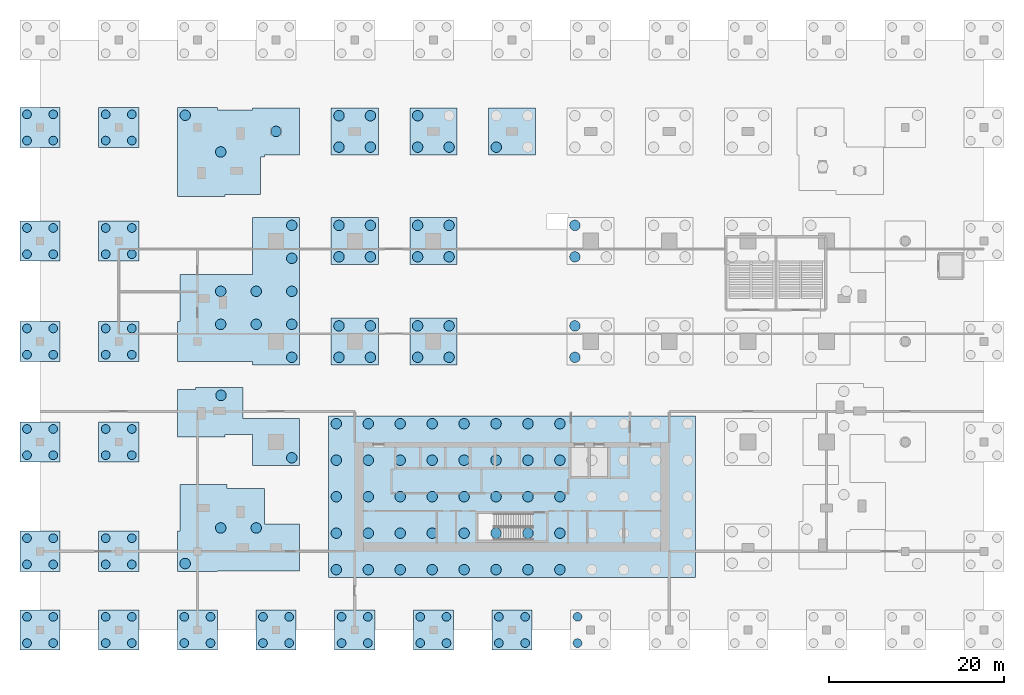
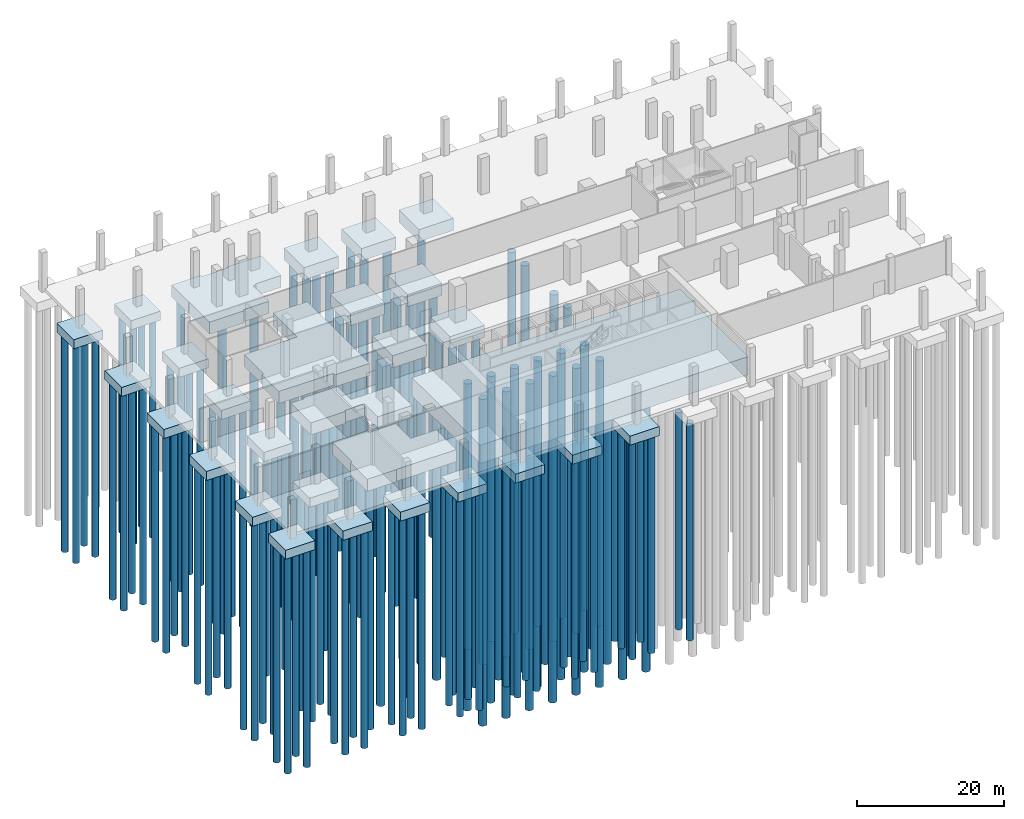
# One storey, part 1 of 9: 155 piles, 29 footings.
"""IFC4 building model written with IfcOpenShell, lengths in metres."""

from ifc_helpers import new_model, si_unit, direction, frame, origin, origin_2d, place, context, subcontext, project, spatial, polyline, circle, outline, extrude, material, material_profile, profile_set, type_object, element, save


model = new_model("IFC4")

# Units and contexts
model_context = context("Model", 3, precision=1e-05, world=origin(), true_north=direction((0.0, 1.0)))
body_context = subcontext(model_context, "Body", "Model", "MODEL_VIEW")
ifc_project = project(units=[si_unit("LENGTHUNIT", "METRE"), si_unit("AREAUNIT", "SQUARE_METRE"), si_unit("VOLUMEUNIT", "CUBIC_METRE"), si_unit("PLANEANGLEUNIT", "RADIAN"), si_unit("MASSUNIT", "GRAM", prefix="KILO")], contexts=[model_context])

# Site, building, storey
site_placement = place(None, origin())
site = spatial("IfcSite", under=ifc_project, at=site_placement, CompositionType="ELEMENT")
building_placement = place(site_placement, origin())
building = spatial("IfcBuilding", under=site, at=building_placement, Name="Brigalow Station Residences", CompositionType="ELEMENT")
storey_placement = place(building_placement, frame((0.0, 0.0, -6.0)))
storey = spatial("IfcBuildingStorey", under=building, at=storey_placement, Name="B1", CompositionType="ELEMENT", Elevation=-6.0)

# Piles
ifc_material_1 = material(Name="Concrete C50", Category="concrete")
ifc_material_profile_1 = material_profile(ifc_material_1, circle(Radius=0.5, at=origin_2d()), Name="BP1000")
ifc_profile_set_1 = profile_set([ifc_material_profile_1], Name="Concrete C50")
pile_type_1 = type_object("IfcPileType", Name="BORED PILE 1000", PredefinedType="BORED", material=ifc_profile_set_1)
for number, where, z_axis, x_axis, name in (
    (1, (-19.5, -10.5, -2.0), (0.0, 0.0, -1.0), (1.0, 0.0, 0.0), "BORED PILE 01-1"),
    (2, (-19.5, -7.5, -2.0), (0.0, 0.0, -1.0), (1.0, 0.0, 0.0), "BORED PILE 01-2"),
    (3, (-16.5, -10.5, -2.0), (0.0, 0.0, -1.0), (1.0, 0.0, 0.0), "BORED PILE 01-3"),
    (4, (-16.5, -7.5, -2.0), (0.0, 0.0, -1.0), (1.0, 0.0, 0.0), "BORED PILE 01-4"),
    (5, (-10.5, -10.5, -2.0), (0.0, 0.0, -1.0), (1.0, 0.0, 0.0), "BORED PILE 02-1"),
    (6, (-10.5, -7.5, -2.0), (0.0, 0.0, -1.0), (1.0, 0.0, 0.0), "BORED PILE 02-2"),
    (7, (-7.5, -10.5, -2.0), (0.0, 0.0, -1.0), (1.0, 0.0, 0.0), "BORED PILE 02-3"),
    (8, (-7.5, -7.5, -2.0), (0.0, 0.0, -1.0), (1.0, 0.0, 0.0), "BORED PILE 02-4"),
    (9, (-1.5, -10.5, -2.0), (0.0, 0.0, -1.0), (1.0, 0.0, 0.0), "BORED PILE 03-1"),
    (10, (-1.5, -7.5, -2.0), (0.0, 0.0, -1.0), (1.0, 0.0, 0.0), "BORED PILE 03-2"),
    (11, (1.5, -10.5, -2.0), (0.0, 0.0, -1.0), (1.0, 0.0, 0.0), "BORED PILE 03-3"),
    (12, (1.5, -7.5, -2.0), (0.0, 0.0, -1.0), (1.0, 0.0, 0.0), "BORED PILE 03-4"),
    (13, (7.5, -10.5, -2.0), (0.0, 0.0, -1.0), (1.0, 0.0, 0.0), "BORED PILE 04-1"),
    (14, (7.5, -7.5, -2.0), (0.0, 0.0, -1.0), (1.0, 0.0, 0.0), "BORED PILE 04-2"),
    (15, (10.5, -10.5, -2.0), (0.0, 0.0, -1.0), (1.0, 0.0, 0.0), "BORED PILE 04-3"),
    (16, (10.5, -7.5, -2.0), (0.0, 0.0, -1.0), (1.0, 0.0, 0.0), "BORED PILE 04-4"),
    (17, (16.5, -10.5, -2.0), (0.0, 0.0, -1.0), (1.0, 0.0, 0.0), "BORED PILE 05-1"),
    (18, (16.5, -7.5, -2.0), (0.0, 0.0, -1.0), (1.0, 0.0, 0.0), "BORED PILE 05-2"),
    (19, (19.5, -10.5, -2.0), (0.0, 0.0, -1.0), (1.0, 0.0, 0.0), "BORED PILE 05-3"),
    (20, (19.5, -7.5, -2.0), (0.0, 0.0, -1.0), (1.0, 0.0, 0.0), "BORED PILE 05-4"),
    (21, (25.5, -10.5, -2.0), (0.0, 0.0, -1.0), (1.0, 0.0, 0.0), "BORED PILE 06-1"),
    (22, (25.5, -7.5, -2.0), (0.0, 0.0, -1.0), (1.0, 0.0, 0.0), "BORED PILE 06-2"),
    (23, (28.5, -10.5, -2.0), (0.0, 0.0, -1.0), (1.0, 0.0, 0.0), "BORED PILE 06-3"),
    (24, (28.5, -7.5, -2.0), (0.0, 0.0, -1.0), (1.0, 0.0, 0.0), "BORED PILE 06-4"),
    (25, (34.5, -10.5, -2.0), (0.0, 0.0, -1.0), (1.0, 0.0, 0.0), "BORED PILE 07-1"),
    (26, (34.5, -7.5, -2.0), (0.0, 0.0, -1.0), (1.0, 0.0, 0.0), "BORED PILE 07-2"),
    (27, (37.5, -10.5, -2.0), (0.0, 0.0, -1.0), (1.0, 0.0, 0.0), "BORED PILE 07-3"),
    (28, (37.5, -7.5, -2.0), (0.0, 0.0, -1.0), (1.0, 0.0, 0.0), "BORED PILE 07-4"),
    (29, (43.5, -10.5, -2.0), (0.0, 0.0, -1.0), (1.0, 0.0, 0.0), "BORED PILE 08-1"),
    (30, (43.5, -7.5, -2.0), (0.0, 0.0, -1.0), (1.0, 0.0, 0.0), "BORED PILE 08-2"),
    (31, (-19.5, -1.5, -2.0), (0.0, 0.0, -1.0), (1.0, 0.0, 0.0), "BORED PILE 14-1"),
    (32, (-19.5, 1.5, -2.0), (0.0, 0.0, -1.0), (1.0, 0.0, 0.0), "BORED PILE 14-2"),
    (33, (-16.5, -1.5, -2.0), (0.0, 0.0, -1.0), (1.0, 0.0, 0.0), "BORED PILE 14-3"),
    (34, (-16.5, 1.5, -2.0), (0.0, 0.0, -1.0), (1.0, 0.0, 0.0), "BORED PILE 14-4"),
    (35, (-10.5, -1.5, -2.0), (0.0, 0.0, -1.0), (1.0, 0.0, 0.0), "BORED PILE 15-1"),
    (36, (-10.5, 1.5, -2.0), (0.0, 0.0, -1.0), (1.0, 0.0, 0.0), "BORED PILE 15-2"),
    (37, (-7.5, -1.5, -2.0), (0.0, 0.0, -1.0), (1.0, 0.0, 0.0), "BORED PILE 15-3"),
    (38, (-7.5, 1.5, -2.0), (0.0, 0.0, -1.0), (1.0, 0.0, 0.0), "BORED PILE 15-4"),
    (39, (-19.5, 11.0, -2.0), (0.0, 0.0, -1.0), (1.0, 0.0, 0.0), "BORED PILE 20-1"),
    (40, (-19.5, 14.0, -2.0), (0.0, 0.0, -1.0), (1.0, 0.0, 0.0), "BORED PILE 20-2"),
    (41, (-16.5, 11.0, -2.0), (0.0, 0.0, -1.0), (1.0, 0.0, 0.0), "BORED PILE 20-3"),
    (42, (-16.5, 14.0, -2.0), (0.0, 0.0, -1.0), (1.0, 0.0, 0.0), "BORED PILE 20-4"),
    (43, (-10.5, 11.0, -2.0), (0.0, 0.0, -1.0), (1.0, 0.0, 0.0), "BORED PILE 21-1"),
    (44, (-10.5, 14.0, -2.0), (0.0, 0.0, -1.0), (1.0, 0.0, 0.0), "BORED PILE 21-2"),
    (45, (-7.5, 11.0, -2.0), (0.0, 0.0, -1.0), (1.0, 0.0, 0.0), "BORED PILE 21-3"),
    (46, (-7.5, 14.0, -2.0), (0.0, 0.0, -1.0), (1.0, 0.0, 0.0), "BORED PILE 21-4"),
    (47, (-19.5, 22.5, -2.0), (0.0, 0.0, -1.0), (1.0, 0.0, 0.0), "BORED PILE 25-1"),
    (48, (-19.5, 25.5, -2.0), (0.0, 0.0, -1.0), (1.0, 0.0, 0.0), "BORED PILE 25-2"),
    (49, (-16.5, 22.5, -2.0), (0.0, 0.0, -1.0), (1.0, 0.0, 0.0), "BORED PILE 25-3"),
    (50, (-16.5, 25.5, -2.0), (0.0, 0.0, -1.0), (1.0, 0.0, 0.0), "BORED PILE 25-4"),
    (51, (-10.5, 22.5, -2.0), (0.0, 0.0, -1.0), (1.0, 0.0, 0.0), "BORED PILE 26-1"),
    (52, (-10.5, 25.5, -2.0), (0.0, 0.0, -1.0), (1.0, 0.0, 0.0), "BORED PILE 26-2"),
    (53, (-7.5, 22.5, -2.0), (0.0, 0.0, -1.0), (1.0, 0.0, 0.0), "BORED PILE 26-3"),
    (54, (-7.5, 25.5, -2.0), (0.0, 0.0, -1.0), (1.0, 0.0, 0.0), "BORED PILE 26-4"),
    (55, (-19.5, 34.0, -2.0), (0.0, 0.0, -1.0), (1.0, 0.0, 0.0), "BORED PILE 35-1"),
    (56, (-19.5, 37.0, -2.0), (0.0, 0.0, -1.0), (1.0, 0.0, 0.0), "BORED PILE 35-2"),
    (57, (-16.5, 34.0, -2.0), (0.0, 0.0, -1.0), (1.0, 0.0, 0.0), "BORED PILE 35-3"),
    (58, (-16.5, 37.0, -2.0), (0.0, 0.0, -1.0), (1.0, 0.0, 0.0), "BORED PILE 35-4"),
    (59, (-10.5, 34.0, -2.0), (0.0, 0.0, -1.0), (1.0, 0.0, 0.0), "BORED PILE 36-1"),
    (60, (-10.5, 37.0, -2.0), (0.0, 0.0, -1.0), (1.0, 0.0, 0.0), "BORED PILE 36-2"),
    (61, (-7.5, 34.0, -2.0), (0.0, 0.0, -1.0), (1.0, 0.0, 0.0), "BORED PILE 36-3"),
    (62, (-7.5, 37.0, -2.0), (0.0, 0.0, -1.0), (1.0, 0.0, 0.0), "BORED PILE 36-4"),
    (63, (-19.5, 47.0, -2.0), (0.0, 0.0, -1.0), (1.0, 0.0, 0.0), "BORED PILE 51-1"),
    (64, (-19.5, 50.0, -2.0), (0.0, 0.0, -1.0), (1.0, 0.0, 0.0), "BORED PILE 51-2"),
    (65, (-16.5, 47.0, -2.0), (0.0, 0.0, -1.0), (1.0, 0.0, 0.0), "BORED PILE 51-3"),
    (66, (-16.5, 50.0, -2.0), (0.0, 0.0, -1.0), (1.0, 0.0, 0.0), "BORED PILE 51-4"),
    (67, (-10.5, 47.0, -2.0), (0.0, 0.0, -1.0), (1.0, 0.0, 0.0), "BORED PILE 52-1"),
    (68, (-10.5, 50.0, -2.0), (0.0, 0.0, -1.0), (1.0, 0.0, 0.0), "BORED PILE 52-2"),
    (69, (-7.5, 47.0, -2.0), (0.0, 0.0, -1.0), (1.0, 0.0, 0.0), "BORED PILE 52-3"),
    (70, (-7.5, 50.0, -2.0), (0.0, 0.0, -1.0), (1.0, 0.0, 0.0), "BORED PILE 52-4"),
):
    element("IfcPile", number, at=place(storey_placement, frame(where, z_axis=z_axis, x_axis=x_axis)), inside=storey, type_object=pile_type_1, Name=name, PredefinedType="BORED", context=body_context, shape_type="SweptSolid", body=[
        extrude(circle(Radius=0.5, at=origin_2d()), origin(), (0.0, 0.0, 1.0), 36.0),
    ])
ifc_material_2 = material(Name="Concrete C50", Category="concrete")
ifc_material_profile_2 = material_profile(ifc_material_2, circle(Radius=0.60009765625, at=origin_2d()), Name="BP1200")
ifc_profile_set_2 = profile_set([ifc_material_profile_2], Name="Concrete C50")
pile_type_2 = type_object("IfcPileType", Name="BORED PILE 1200", PredefinedType="BORED", material=ifc_profile_set_2)
for number, where, z_axis, x_axis, name in (
    (71, (-1.39990234375, -1.39990234375, -2.5), (0.0, 0.0, -1.0), (1.0, 0.0, 0.0), "BORED PILE 16-1"),
    (72, (2.666748046875, 2.675048828125, -2.5), (0.0, 0.0, -1.0), (1.0, 0.0, 0.0), "BORED PILE 16-2"),
    (73, (6.7333984375, 2.675048828125, -2.5), (0.0, 0.0, -1.0), (1.0, 0.0, 0.0), "BORED PILE 16-3"),
    (74, (2.699951171875, 17.85009765625, -2.5), (0.0, 0.0, -1.0), (1.0, 0.0, 0.0), "BORED PILE 22-1"),
    (75, (10.800048828125, 10.699951171875, -2.5), (0.0, 0.0, -1.0), (1.0, 0.0, 0.0), "BORED PILE 22-2"),
    (76, (2.666748046875, 25.97509765625, -2.5), (0.0, 0.0, -1.0), (1.0, 0.0, 0.0), "BORED PILE 27-1"),
    (77, (2.666748046875, 29.75, -2.5), (0.0, 0.0, -1.0), (1.0, 0.0, 0.0), "BORED PILE 27-2"),
    (78, (6.7333984375, 25.97509765625, -2.5), (0.0, 0.0, -1.0), (1.0, 0.0, 0.0), "BORED PILE 27-3"),
    (79, (6.7333984375, 29.75, -2.5), (0.0, 0.0, -1.0), (1.0, 0.0, 0.0), "BORED PILE 27-4"),
    (80, (10.800048828125, 22.199951171875, -2.5), (0.0, 0.0, -1.0), (1.0, 0.0, 0.0), "BORED PILE 27-5"),
    (81, (10.800048828125, 25.97509765625, -2.5), (0.0, 0.0, -1.0), (1.0, 0.0, 0.0), "BORED PILE 27-6"),
    (82, (10.800048828125, 29.75, -2.5), (0.0, 0.0, -1.0), (1.0, 0.0, 0.0), "BORED PILE 27-7"),
    (83, (10.800048828125, 33.52490234375, -2.5), (0.0, 0.0, -1.0), (1.0, 0.0, 0.0), "BORED PILE 27-8"),
    (84, (10.800048828125, 37.300048828125, -2.5), (0.0, 0.0, -1.0), (1.0, 0.0, 0.0), "BORED PILE 27-9"),
    (85, (16.199951171875, 22.199951171875, -2.5), (0.0, 0.0, -1.0), (1.0, 0.0, 0.0), "BORED PILE 28-1"),
    (86, (16.199951171875, 25.800048828125, -2.5), (0.0, 0.0, -1.0), (1.0, 0.0, 0.0), "BORED PILE 28-2"),
    (87, (19.800048828125, 22.199951171875, -2.5), (0.0, 0.0, -1.0), (1.0, 0.0, 0.0), "BORED PILE 28-3"),
    (88, (19.800048828125, 25.800048828125, -2.5), (0.0, 0.0, -1.0), (1.0, 0.0, 0.0), "BORED PILE 28-4"),
    (89, (25.199951171875, 22.199951171875, -2.5), (0.0, 0.0, -1.0), (1.0, 0.0, 0.0), "BORED PILE 29-1"),
    (90, (25.199951171875, 25.800048828125, -2.5), (0.0, 0.0, -1.0), (1.0, 0.0, 0.0), "BORED PILE 29-2"),
    (91, (28.800048828125, 22.199951171875, -2.5), (0.0, 0.0, -1.0), (1.0, 0.0, 0.0), "BORED PILE 29-3"),
    (92, (28.800048828125, 25.800048828125, -2.5), (0.0, 0.0, -1.0), (1.0, 0.0, 0.0), "BORED PILE 29-4"),
    (93, (43.199951171875, 22.199951171875, -2.5), (0.0, 0.0, -1.0), (1.0, 0.0, 0.0), "BORED PILE 30-1"),
    (94, (43.199951171875, 25.800048828125, -2.5), (0.0, 0.0, -1.0), (1.0, 0.0, 0.0), "BORED PILE 30-2"),
    (95, (16.199951171875, 33.699951171875, -2.5), (0.0, 0.0, -1.0), (1.0, 0.0, 0.0), "BORED PILE 37-1"),
    (96, (16.199951171875, 37.300048828125, -2.5), (0.0, 0.0, -1.0), (1.0, 0.0, 0.0), "BORED PILE 37-2"),
    (97, (19.800048828125, 33.699951171875, -2.5), (0.0, 0.0, -1.0), (1.0, 0.0, 0.0), "BORED PILE 37-3"),
    (98, (19.800048828125, 37.300048828125, -2.5), (0.0, 0.0, -1.0), (1.0, 0.0, 0.0), "BORED PILE 37-4"),
    (99, (25.199951171875, 33.699951171875, -2.5), (0.0, 0.0, -1.0), (1.0, 0.0, 0.0), "BORED PILE 38-1"),
    (100, (25.199951171875, 37.300048828125, -2.5), (0.0, 0.0, -1.0), (1.0, 0.0, 0.0), "BORED PILE 38-2"),
    (101, (28.800048828125, 33.699951171875, -2.5), (0.0, 0.0, -1.0), (1.0, 0.0, 0.0), "BORED PILE 38-3"),
    (102, (28.800048828125, 37.300048828125, -2.5), (0.0, 0.0, -1.0), (1.0, 0.0, 0.0), "BORED PILE 38-4"),
    (103, (43.199951171875, 33.699951171875, -2.5), (0.0, 0.0, -1.0), (1.0, 0.0, 0.0), "BORED PILE 39-1"),
    (104, (43.199951171875, 37.300048828125, -2.5), (0.0, 0.0, -1.0), (1.0, 0.0, 0.0), "BORED PILE 39-2"),
    (105, (-1.39990234375, 49.89990234375, -2.5), (0.0, 0.0, -1.0), (1.0, 0.0, 0.0), "BORED PILE 43-1"),
    (106, (2.666748046875, 45.699951171875, -2.5), (0.0, 0.0, -1.0), (1.0, 0.0, 0.0), "BORED PILE 43-2"),
    (107, (9.0, 48.050048828125, -2.5), (0.0, 0.0, -1.0), (1.0, 0.0, 0.0), "BORED PILE 43-3"),
    (108, (16.199951171875, 46.25, -2.5), (0.0, 0.0, -1.0), (1.0, 0.0, 0.0), "BORED PILE 45-1"),
    (109, (16.199951171875, 49.85009765625, -2.5), (0.0, 0.0, -1.0), (1.0, 0.0, 0.0), "BORED PILE 45-2"),
    (110, (19.800048828125, 46.25, -2.5), (0.0, 0.0, -1.0), (1.0, 0.0, 0.0), "BORED PILE 45-3"),
    (111, (19.800048828125, 49.85009765625, -2.5), (0.0, 0.0, -1.0), (1.0, 0.0, 0.0), "BORED PILE 45-4"),
    (112, (25.199951171875, 46.25, -2.5), (0.0, 0.0, -1.0), (1.0, 0.0, 0.0), "BORED PILE 46-1"),
    (113, (25.199951171875, 49.85009765625, -2.5), (0.0, 0.0, -1.0), (1.0, 0.0, 0.0), "BORED PILE 46-2"),
    (114, (28.800048828125, 46.25, -2.5), (0.0, 0.0, -1.0), (1.0, 0.0, 0.0), "BORED PILE 46-3"),
    (115, (34.199951171875, 46.25, -2.5), (0.0, 0.0, -1.0), (1.0, 0.0, 0.0), "BORED PILE 47-1"),
):
    element("IfcPile", number, at=place(storey_placement, frame(where, z_axis=z_axis, x_axis=x_axis)), inside=storey, type_object=pile_type_2, Name=name, PredefinedType="BORED", context=body_context, shape_type="SweptSolid", body=[
        extrude(circle(Radius=0.60009765625, at=origin_2d()), origin(), (0.0, 0.0, 1.0), 40.0),
    ])
ifc_material_3 = material(Name="Concrete C50", Category="concrete")
ifc_material_profile_3 = material_profile(ifc_material_3, circle(Radius=0.60009765625, at=origin_2d()), Name="BP1200")
ifc_profile_set_3 = profile_set([ifc_material_profile_3], Name="Concrete C50")
pile_type_3 = type_object("IfcPileType", Name="BORED PILE 1200 RAFT", PredefinedType="BORED", material=ifc_profile_set_3)
for number, where, z_axis, x_axis, name in (
    (116, (15.89990234375, -2.10009765625, -3.5), (0.0, 0.0, -1.0), (1.0, 0.0, 0.0), "BORED PILE RAFT-1"),
    (117, (19.554443359375, -2.10009765625, -3.5), (0.0, 0.0, -1.0), (1.0, 0.0, 0.0), "BORED PILE RAFT-2"),
    (118, (23.208984375, -2.10009765625, -3.5), (0.0, 0.0, -1.0), (1.0, 0.0, 0.0), "BORED PILE RAFT-3"),
    (119, (26.863525390625, -2.10009765625, -3.5), (0.0, 0.0, -1.0), (1.0, 0.0, 0.0), "BORED PILE RAFT-4"),
    (120, (30.518310546875, -2.10009765625, -3.5), (0.0, 0.0, -1.0), (1.0, 0.0, 0.0), "BORED PILE RAFT-5"),
    (121, (34.172607421875, -2.10009765625, -3.5), (0.0, 0.0, -1.0), (1.0, 0.0, 0.0), "BORED PILE RAFT-6"),
    (122, (37.827392578125, -2.10009765625, -3.5), (0.0, 0.0, -1.0), (1.0, 0.0, 0.0), "BORED PILE RAFT-7"),
    (123, (41.481689453125, -2.10009765625, -3.5), (0.0, 0.0, -1.0), (1.0, 0.0, 0.0), "BORED PILE RAFT-8"),
    (124, (15.89990234375, 2.074951171875, -3.5), (0.0, 0.0, -1.0), (1.0, 0.0, 0.0), "BORED PILE RAFT-13"),
    (125, (19.554443359375, 2.074951171875, -3.5), (0.0, 0.0, -1.0), (1.0, 0.0, 0.0), "BORED PILE RAFT-14"),
    (126, (23.208984375, 2.074951171875, -3.5), (0.0, 0.0, -1.0), (1.0, 0.0, 0.0), "BORED PILE RAFT-15"),
    (127, (26.863525390625, 2.074951171875, -3.5), (0.0, 0.0, -1.0), (1.0, 0.0, 0.0), "BORED PILE RAFT-16"),
    (128, (30.518310546875, 2.074951171875, -3.5), (0.0, 0.0, -1.0), (1.0, 0.0, 0.0), "BORED PILE RAFT-17"),
    (129, (34.172607421875, 2.074951171875, -3.5), (0.0, 0.0, -1.0), (1.0, 0.0, 0.0), "BORED PILE RAFT-18"),
    (130, (37.827392578125, 2.074951171875, -3.5), (0.0, 0.0, -1.0), (1.0, 0.0, 0.0), "BORED PILE RAFT-19"),
    (131, (41.481689453125, 2.074951171875, -3.5), (0.0, 0.0, -1.0), (1.0, 0.0, 0.0), "BORED PILE RAFT-20"),
    (132, (15.89990234375, 6.25, -3.5), (0.0, 0.0, -1.0), (1.0, 0.0, 0.0), "BORED PILE RAFT-25"),
    (133, (19.554443359375, 6.25, -3.5), (0.0, 0.0, -1.0), (1.0, 0.0, 0.0), "BORED PILE RAFT-26"),
    (134, (23.208984375, 6.25, -3.5), (0.0, 0.0, -1.0), (1.0, 0.0, 0.0), "BORED PILE RAFT-27"),
    (135, (26.863525390625, 6.25, -3.5), (0.0, 0.0, -1.0), (1.0, 0.0, 0.0), "BORED PILE RAFT-28"),
    (136, (30.518310546875, 6.25, -3.5), (0.0, 0.0, -1.0), (1.0, 0.0, 0.0), "BORED PILE RAFT-29"),
    (137, (34.172607421875, 6.25, -3.5), (0.0, 0.0, -1.0), (1.0, 0.0, 0.0), "BORED PILE RAFT-30"),
    (138, (37.827392578125, 6.25, -3.5), (0.0, 0.0, -1.0), (1.0, 0.0, 0.0), "BORED PILE RAFT-31"),
    (139, (41.481689453125, 6.25, -3.5), (0.0, 0.0, -1.0), (1.0, 0.0, 0.0), "BORED PILE RAFT-32"),
    (140, (15.89990234375, 10.425048828125, -3.5), (0.0, 0.0, -1.0), (1.0, 0.0, 0.0), "BORED PILE RAFT-37"),
    (141, (19.554443359375, 10.425048828125, -3.5), (0.0, 0.0, -1.0), (1.0, 0.0, 0.0), "BORED PILE RAFT-38"),
    (142, (23.208984375, 10.425048828125, -3.5), (0.0, 0.0, -1.0), (1.0, 0.0, 0.0), "BORED PILE RAFT-39"),
    (143, (26.863525390625, 10.425048828125, -3.5), (0.0, 0.0, -1.0), (1.0, 0.0, 0.0), "BORED PILE RAFT-40"),
    (144, (30.518310546875, 10.425048828125, -3.5), (0.0, 0.0, -1.0), (1.0, 0.0, 0.0), "BORED PILE RAFT-41"),
    (145, (34.172607421875, 10.425048828125, -3.5), (0.0, 0.0, -1.0), (1.0, 0.0, 0.0), "BORED PILE RAFT-42"),
    (146, (37.827392578125, 10.425048828125, -3.5), (0.0, 0.0, -1.0), (1.0, 0.0, 0.0), "BORED PILE RAFT-43"),
    (147, (41.481689453125, 10.425048828125, -3.5), (0.0, 0.0, -1.0), (1.0, 0.0, 0.0), "BORED PILE RAFT-44"),
    (148, (15.89990234375, 14.60009765625, -3.5), (0.0, 0.0, -1.0), (1.0, 0.0, 0.0), "BORED PILE RAFT-49"),
    (149, (19.554443359375, 14.60009765625, -3.5), (0.0, 0.0, -1.0), (1.0, 0.0, 0.0), "BORED PILE RAFT-50"),
    (150, (23.208984375, 14.60009765625, -3.5), (0.0, 0.0, -1.0), (1.0, 0.0, 0.0), "BORED PILE RAFT-51"),
    (151, (26.863525390625, 14.60009765625, -3.5), (0.0, 0.0, -1.0), (1.0, 0.0, 0.0), "BORED PILE RAFT-52"),
    (152, (30.518310546875, 14.60009765625, -3.5), (0.0, 0.0, -1.0), (1.0, 0.0, 0.0), "BORED PILE RAFT-53"),
    (153, (34.172607421875, 14.60009765625, -3.5), (0.0, 0.0, -1.0), (1.0, 0.0, 0.0), "BORED PILE RAFT-54"),
    (154, (37.827392578125, 14.60009765625, -3.5), (0.0, 0.0, -1.0), (1.0, 0.0, 0.0), "BORED PILE RAFT-55"),
    (155, (41.481689453125, 14.60009765625, -3.5), (0.0, 0.0, -1.0), (1.0, 0.0, 0.0), "BORED PILE RAFT-56"),
):
    element("IfcPile", number, at=place(storey_placement, frame(where, z_axis=z_axis, x_axis=x_axis)), inside=storey, type_object=pile_type_3, Name=name, PredefinedType="BORED", context=body_context, shape_type="SweptSolid", body=[
        extrude(circle(Radius=0.60009765625, at=origin_2d()), origin(), (0.0, 0.0, 1.0), 44.0),
    ])

# Footings
ifc_material_4 = material(Name="Concrete C65", Category="concrete")
footing_type_1 = type_object("IfcFootingType", Name="COMBINED PILE CAP", PredefinedType="PILE_CAP", material=ifc_material_4)
footing_1_placement = place(storey_placement, frame((0.0, 0.0, -2.5)))
element("IfcFooting", 156, at=footing_1_placement, inside=storey, type_object=footing_type_1, Name="PILE CAP 16", PredefinedType="PILE_CAP", context=body_context, shape_type="SweptSolid", body=[
    extrude(outline(polyline([(-2.300048828125, 2.300048828125), (-2.0, 2.300048828125), (-2.0, 7.64990234375), (3.39990234375, 7.64990234375), (3.39990234375, 7.199951171875), (7.64990234375, 7.199951171875), (7.64990234375, 3.14990234375), (11.699951171875, 3.14990234375), (11.699951171875, -2.25), (2.300048828125, -2.25), (2.300048828125, -2.300048828125), (-2.300048828125, -2.300048828125), (-2.300048828125, 2.300048828125)])), origin(), (0.0, 0.0, 1.0), 2.0),
])
footing_2_placement = place(storey_placement, frame((0.0, 0.0, -2.5)))
element("IfcFooting", 157, at=footing_2_placement, inside=storey, type_object=footing_type_1, Name="PILE CAP 22", PredefinedType="PILE_CAP", context=body_context, shape_type="SweptSolid", body=[
    extrude(outline(polyline([(-2.25, 13.10009765625), (-2.25, 18.5), (-0.199951171875, 18.5), (-0.199951171875, 18.75), (5.199951171875, 18.75), (5.199951171875, 15.199951171875), (11.699951171875, 15.199951171875), (11.699951171875, 9.800048828125), (6.300048828125, 9.800048828125), (6.300048828125, 13.35009765625), (3.14990234375, 13.35009765625), (3.14990234375, 13.10009765625), (-2.25, 13.10009765625)])), origin(), (0.0, 0.0, 1.0), 2.0),
])
footing_3_placement = place(storey_placement, frame((0.0, 0.0, -2.5)))
element("IfcFooting", 158, at=footing_3_placement, inside=storey, type_object=footing_type_1, Name="PILE CAP 27", PredefinedType="PILE_CAP", context=body_context, shape_type="SweptSolid", body=[
    extrude(outline(polyline([(-2.300048828125, 26.300048828125), (-2.0, 26.300048828125), (-2.0, 31.64990234375), (6.300048828125, 31.64990234375), (6.300048828125, 38.199951171875), (11.699951171875, 38.199951171875), (11.699951171875, 21.300048828125), (6.300048828125, 21.300048828125), (6.300048828125, 21.699951171875), (-2.300048828125, 21.699951171875), (-2.300048828125, 26.300048828125)])), origin(), (0.0, 0.0, 1.0), 2.0),
])
footing_4_placement = place(storey_placement, frame((0.0, 0.0, -2.5)))
element("IfcFooting", 159, at=footing_4_placement, inside=storey, type_object=footing_type_1, Name="PILE CAP 43", PredefinedType="PILE_CAP", context=body_context, shape_type="SweptSolid", body=[
    extrude(outline(polyline([(-2.300048828125, 46.199951171875), (-2.300048828125, 50.800048828125), (2.300048828125, 50.800048828125), (2.300048828125, 50.5), (6.300048828125, 50.5), (6.300048828125, 50.75), (11.699951171875, 50.75), (11.699951171875, 45.35009765625), (7.64990234375, 45.35009765625), (7.64990234375, 45.10009765625), (7.199951171875, 45.10009765625), (7.199951171875, 40.85009765625), (3.14990234375, 40.85009765625), (3.14990234375, 40.60009765625), (-2.25, 40.60009765625), (-2.25, 46.199951171875), (-2.300048828125, 46.199951171875)])), origin(), (0.0, 0.0, 1.0), 2.0),
])
ifc_material_5 = material(Name="Concrete C50", Category="concrete")
footing_type_2 = type_object("IfcFootingType", Name="CORE PILED RAFT", PredefinedType="PILE_CAP", material=ifc_material_5)
footing_5_placement = place(storey_placement, frame((0.0, 0.0, -3.5)))
element("IfcFooting", 160, at=footing_5_placement, inside=storey, type_object=footing_type_2, Name="CORE PILED RAFT", PredefinedType="PILE_CAP", context=body_context, shape_type="SweptSolid", body=[
    extrude(outline(polyline([(57.0, -3.0), (57.0, 15.5), (15.0, 15.5), (15.0, -3.0), (57.0, -3.0)])), origin(), (0.0, 0.0, 1.0), 3.0),
])
ifc_material_6 = material(Name="Concrete C65", Category="concrete")
footing_type_3 = type_object("IfcFootingType", Name="PODIUM PILE CAP", PredefinedType="PILE_CAP", material=ifc_material_6)
footing_6_placement = place(storey_placement, frame((0.0, 0.0, -2.0)))
element("IfcFooting", 161, at=footing_6_placement, inside=storey, type_object=footing_type_3, Name="PILE CAP 01", PredefinedType="PILE_CAP", context=body_context, shape_type="SweptSolid", body=[
    extrude(outline(polyline([(-15.699951171875, -11.300048828125), (-15.699951171875, -6.699951171875), (-20.300048828125, -6.699951171875), (-20.300048828125, -11.300048828125), (-15.699951171875, -11.300048828125)])), origin(), (0.0, 0.0, 1.0), 1.5),
])
footing_7_placement = place(storey_placement, frame((0.0, 0.0, -2.0)))
element("IfcFooting", 162, at=footing_7_placement, inside=storey, type_object=footing_type_3, Name="PILE CAP 02", PredefinedType="PILE_CAP", context=body_context, shape_type="SweptSolid", body=[
    extrude(outline(polyline([(-6.699951171875, -11.300048828125), (-6.699951171875, -6.699951171875), (-11.300048828125, -6.699951171875), (-11.300048828125, -11.300048828125), (-6.699951171875, -11.300048828125)])), origin(), (0.0, 0.0, 1.0), 1.5),
])
footing_8_placement = place(storey_placement, frame((0.0, 0.0, -2.0)))
element("IfcFooting", 163, at=footing_8_placement, inside=storey, type_object=footing_type_3, Name="PILE CAP 03", PredefinedType="PILE_CAP", context=body_context, shape_type="SweptSolid", body=[
    extrude(outline(polyline([(2.300048828125, -11.300048828125), (2.300048828125, -6.699951171875), (-2.300048828125, -6.699951171875), (-2.300048828125, -11.300048828125), (2.300048828125, -11.300048828125)])), origin(), (0.0, 0.0, 1.0), 1.5),
])
footing_9_placement = place(storey_placement, frame((0.0, 0.0, -2.0)))
element("IfcFooting", 164, at=footing_9_placement, inside=storey, type_object=footing_type_3, Name="PILE CAP 04", PredefinedType="PILE_CAP", context=body_context, shape_type="SweptSolid", body=[
    extrude(outline(polyline([(11.300048828125, -11.300048828125), (11.300048828125, -6.699951171875), (6.699951171875, -6.699951171875), (6.699951171875, -11.300048828125), (11.300048828125, -11.300048828125)])), origin(), (0.0, 0.0, 1.0), 1.5),
])
footing_10_placement = place(storey_placement, frame((0.0, 0.0, -2.0)))
element("IfcFooting", 165, at=footing_10_placement, inside=storey, type_object=footing_type_3, Name="PILE CAP 05", PredefinedType="PILE_CAP", context=body_context, shape_type="SweptSolid", body=[
    extrude(outline(polyline([(20.300048828125, -11.300048828125), (20.300048828125, -6.699951171875), (15.699951171875, -6.699951171875), (15.699951171875, -11.300048828125), (20.300048828125, -11.300048828125)])), origin(), (0.0, 0.0, 1.0), 1.5),
])
footing_11_placement = place(storey_placement, frame((0.0, 0.0, -2.0)))
element("IfcFooting", 166, at=footing_11_placement, inside=storey, type_object=footing_type_3, Name="PILE CAP 06", PredefinedType="PILE_CAP", context=body_context, shape_type="SweptSolid", body=[
    extrude(outline(polyline([(29.300048828125, -11.300048828125), (29.300048828125, -6.699951171875), (24.699951171875, -6.699951171875), (24.699951171875, -11.300048828125), (29.300048828125, -11.300048828125)])), origin(), (0.0, 0.0, 1.0), 1.5),
])
footing_12_placement = place(storey_placement, frame((0.0, 0.0, -2.0)))
element("IfcFooting", 167, at=footing_12_placement, inside=storey, type_object=footing_type_3, Name="PILE CAP 07", PredefinedType="PILE_CAP", context=body_context, shape_type="SweptSolid", body=[
    extrude(outline(polyline([(38.300048828125, -11.300048828125), (38.300048828125, -6.699951171875), (33.699951171875, -6.699951171875), (33.699951171875, -11.300048828125), (38.300048828125, -11.300048828125)])), origin(), (0.0, 0.0, 1.0), 1.5),
])
footing_13_placement = place(storey_placement, frame((0.0, 0.0, -2.0)))
element("IfcFooting", 168, at=footing_13_placement, inside=storey, type_object=footing_type_3, Name="PILE CAP 14", PredefinedType="PILE_CAP", context=body_context, shape_type="SweptSolid", body=[
    extrude(outline(polyline([(-15.699951171875, -2.300048828125), (-15.699951171875, 2.300048828125), (-20.300048828125, 2.300048828125), (-20.300048828125, -2.300048828125), (-15.699951171875, -2.300048828125)])), origin(), (0.0, 0.0, 1.0), 1.5),
])
footing_14_placement = place(storey_placement, frame((0.0, 0.0, -2.0)))
element("IfcFooting", 169, at=footing_14_placement, inside=storey, type_object=footing_type_3, Name="PILE CAP 15", PredefinedType="PILE_CAP", context=body_context, shape_type="SweptSolid", body=[
    extrude(outline(polyline([(-6.699951171875, -2.300048828125), (-6.699951171875, 2.300048828125), (-11.300048828125, 2.300048828125), (-11.300048828125, -2.300048828125), (-6.699951171875, -2.300048828125)])), origin(), (0.0, 0.0, 1.0), 1.5),
])
footing_15_placement = place(storey_placement, frame((0.0, 0.0, -2.0)))
element("IfcFooting", 170, at=footing_15_placement, inside=storey, type_object=footing_type_3, Name="PILE CAP 20", PredefinedType="PILE_CAP", context=body_context, shape_type="SweptSolid", body=[
    extrude(outline(polyline([(-15.699951171875, 10.199951171875), (-15.699951171875, 14.800048828125), (-20.300048828125, 14.800048828125), (-20.300048828125, 10.199951171875), (-15.699951171875, 10.199951171875)])), origin(), (0.0, 0.0, 1.0), 1.5),
])
footing_16_placement = place(storey_placement, frame((0.0, 0.0, -2.0)))
element("IfcFooting", 171, at=footing_16_placement, inside=storey, type_object=footing_type_3, Name="PILE CAP 21", PredefinedType="PILE_CAP", context=body_context, shape_type="SweptSolid", body=[
    extrude(outline(polyline([(-6.699951171875, 10.199951171875), (-6.699951171875, 14.800048828125), (-11.300048828125, 14.800048828125), (-11.300048828125, 10.199951171875), (-6.699951171875, 10.199951171875)])), origin(), (0.0, 0.0, 1.0), 1.5),
])
footing_17_placement = place(storey_placement, frame((0.0, 0.0, -2.0)))
element("IfcFooting", 172, at=footing_17_placement, inside=storey, type_object=footing_type_3, Name="PILE CAP 25", PredefinedType="PILE_CAP", context=body_context, shape_type="SweptSolid", body=[
    extrude(outline(polyline([(-15.699951171875, 21.699951171875), (-15.699951171875, 26.300048828125), (-20.300048828125, 26.300048828125), (-20.300048828125, 21.699951171875), (-15.699951171875, 21.699951171875)])), origin(), (0.0, 0.0, 1.0), 1.5),
])
footing_18_placement = place(storey_placement, frame((0.0, 0.0, -2.0)))
element("IfcFooting", 173, at=footing_18_placement, inside=storey, type_object=footing_type_3, Name="PILE CAP 26", PredefinedType="PILE_CAP", context=body_context, shape_type="SweptSolid", body=[
    extrude(outline(polyline([(-6.699951171875, 21.699951171875), (-6.699951171875, 26.300048828125), (-11.300048828125, 26.300048828125), (-11.300048828125, 21.699951171875), (-6.699951171875, 21.699951171875)])), origin(), (0.0, 0.0, 1.0), 1.5),
])
footing_19_placement = place(storey_placement, frame((0.0, 0.0, -2.0)))
element("IfcFooting", 174, at=footing_19_placement, inside=storey, type_object=footing_type_3, Name="PILE CAP 35", PredefinedType="PILE_CAP", context=body_context, shape_type="SweptSolid", body=[
    extrude(outline(polyline([(-15.699951171875, 33.199951171875), (-15.699951171875, 37.800048828125), (-20.300048828125, 37.800048828125), (-20.300048828125, 33.199951171875), (-15.699951171875, 33.199951171875)])), origin(), (0.0, 0.0, 1.0), 1.5),
])
footing_20_placement = place(storey_placement, frame((0.0, 0.0, -2.0)))
element("IfcFooting", 175, at=footing_20_placement, inside=storey, type_object=footing_type_3, Name="PILE CAP 36", PredefinedType="PILE_CAP", context=body_context, shape_type="SweptSolid", body=[
    extrude(outline(polyline([(-6.699951171875, 33.199951171875), (-6.699951171875, 37.800048828125), (-11.300048828125, 37.800048828125), (-11.300048828125, 33.199951171875), (-6.699951171875, 33.199951171875)])), origin(), (0.0, 0.0, 1.0), 1.5),
])
footing_21_placement = place(storey_placement, frame((0.0, 0.0, -2.0)))
element("IfcFooting", 176, at=footing_21_placement, inside=storey, type_object=footing_type_3, Name="PILE CAP 51", PredefinedType="PILE_CAP", context=body_context, shape_type="SweptSolid", body=[
    extrude(outline(polyline([(-15.699951171875, 46.199951171875), (-15.699951171875, 50.800048828125), (-20.300048828125, 50.800048828125), (-20.300048828125, 46.199951171875), (-15.699951171875, 46.199951171875)])), origin(), (0.0, 0.0, 1.0), 1.5),
])
footing_22_placement = place(storey_placement, frame((0.0, 0.0, -2.0)))
element("IfcFooting", 177, at=footing_22_placement, inside=storey, type_object=footing_type_3, Name="PILE CAP 52", PredefinedType="PILE_CAP", context=body_context, shape_type="SweptSolid", body=[
    extrude(outline(polyline([(-6.699951171875, 46.199951171875), (-6.699951171875, 50.800048828125), (-11.300048828125, 50.800048828125), (-11.300048828125, 46.199951171875), (-6.699951171875, 46.199951171875)])), origin(), (0.0, 0.0, 1.0), 1.5),
])
ifc_material_7 = material(Name="Concrete C65", Category="concrete")
footing_type_4 = type_object("IfcFootingType", Name="TOWER PILE CAP", PredefinedType="PILE_CAP", material=ifc_material_7)
footing_23_placement = place(storey_placement, frame((0.0, 0.0, -2.5)))
element("IfcFooting", 178, at=footing_23_placement, inside=storey, type_object=footing_type_4, Name="PILE CAP 28", PredefinedType="PILE_CAP", context=body_context, shape_type="SweptSolid", body=[
    extrude(outline(polyline([(20.699951171875, 21.300048828125), (20.699951171875, 26.699951171875), (15.300048828125, 26.699951171875), (15.300048828125, 21.300048828125), (20.699951171875, 21.300048828125)])), origin(), (0.0, 0.0, 1.0), 2.0),
])
footing_24_placement = place(storey_placement, frame((0.0, 0.0, -2.5)))
element("IfcFooting", 179, at=footing_24_placement, inside=storey, type_object=footing_type_4, Name="PILE CAP 29", PredefinedType="PILE_CAP", context=body_context, shape_type="SweptSolid", body=[
    extrude(outline(polyline([(29.699951171875, 21.300048828125), (29.699951171875, 26.699951171875), (24.300048828125, 26.699951171875), (24.300048828125, 21.300048828125), (29.699951171875, 21.300048828125)])), origin(), (0.0, 0.0, 1.0), 2.0),
])
footing_25_placement = place(storey_placement, frame((0.0, 0.0, -2.5)))
element("IfcFooting", 180, at=footing_25_placement, inside=storey, type_object=footing_type_4, Name="PILE CAP 37", PredefinedType="PILE_CAP", context=body_context, shape_type="SweptSolid", body=[
    extrude(outline(polyline([(20.699951171875, 32.800048828125), (20.699951171875, 38.199951171875), (15.300048828125, 38.199951171875), (15.300048828125, 32.800048828125), (20.699951171875, 32.800048828125)])), origin(), (0.0, 0.0, 1.0), 2.0),
])
footing_26_placement = place(storey_placement, frame((0.0, 0.0, -2.5)))
element("IfcFooting", 181, at=footing_26_placement, inside=storey, type_object=footing_type_4, Name="PILE CAP 38", PredefinedType="PILE_CAP", context=body_context, shape_type="SweptSolid", body=[
    extrude(outline(polyline([(29.699951171875, 32.800048828125), (29.699951171875, 38.199951171875), (24.300048828125, 38.199951171875), (24.300048828125, 32.800048828125), (29.699951171875, 32.800048828125)])), origin(), (0.0, 0.0, 1.0), 2.0),
])
footing_27_placement = place(storey_placement, frame((0.0, 0.0, -2.5)))
element("IfcFooting", 182, at=footing_27_placement, inside=storey, type_object=footing_type_4, Name="PILE CAP 45", PredefinedType="PILE_CAP", context=body_context, shape_type="SweptSolid", body=[
    extrude(outline(polyline([(20.699951171875, 45.35009765625), (20.699951171875, 50.75), (15.300048828125, 50.75), (15.300048828125, 45.35009765625), (20.699951171875, 45.35009765625)])), origin(), (0.0, 0.0, 1.0), 2.0),
])
footing_28_placement = place(storey_placement, frame((0.0, 0.0, -2.5)))
element("IfcFooting", 183, at=footing_28_placement, inside=storey, type_object=footing_type_4, Name="PILE CAP 46", PredefinedType="PILE_CAP", context=body_context, shape_type="SweptSolid", body=[
    extrude(outline(polyline([(29.699951171875, 45.35009765625), (29.699951171875, 50.75), (24.300048828125, 50.75), (24.300048828125, 45.35009765625), (29.699951171875, 45.35009765625)])), origin(), (0.0, 0.0, 1.0), 2.0),
])
footing_29_placement = place(storey_placement, frame((0.0, 0.0, -2.5)))
element("IfcFooting", 184, at=footing_29_placement, inside=storey, type_object=footing_type_4, Name="PILE CAP 47", PredefinedType="PILE_CAP", context=body_context, shape_type="SweptSolid", body=[
    extrude(outline(polyline([(38.699951171875, 45.35009765625), (38.699951171875, 50.75), (33.300048828125, 50.75), (33.300048828125, 45.35009765625), (38.699951171875, 45.35009765625)])), origin(), (0.0, 0.0, 1.0), 2.0),
])

save(model, "model.ifc")
